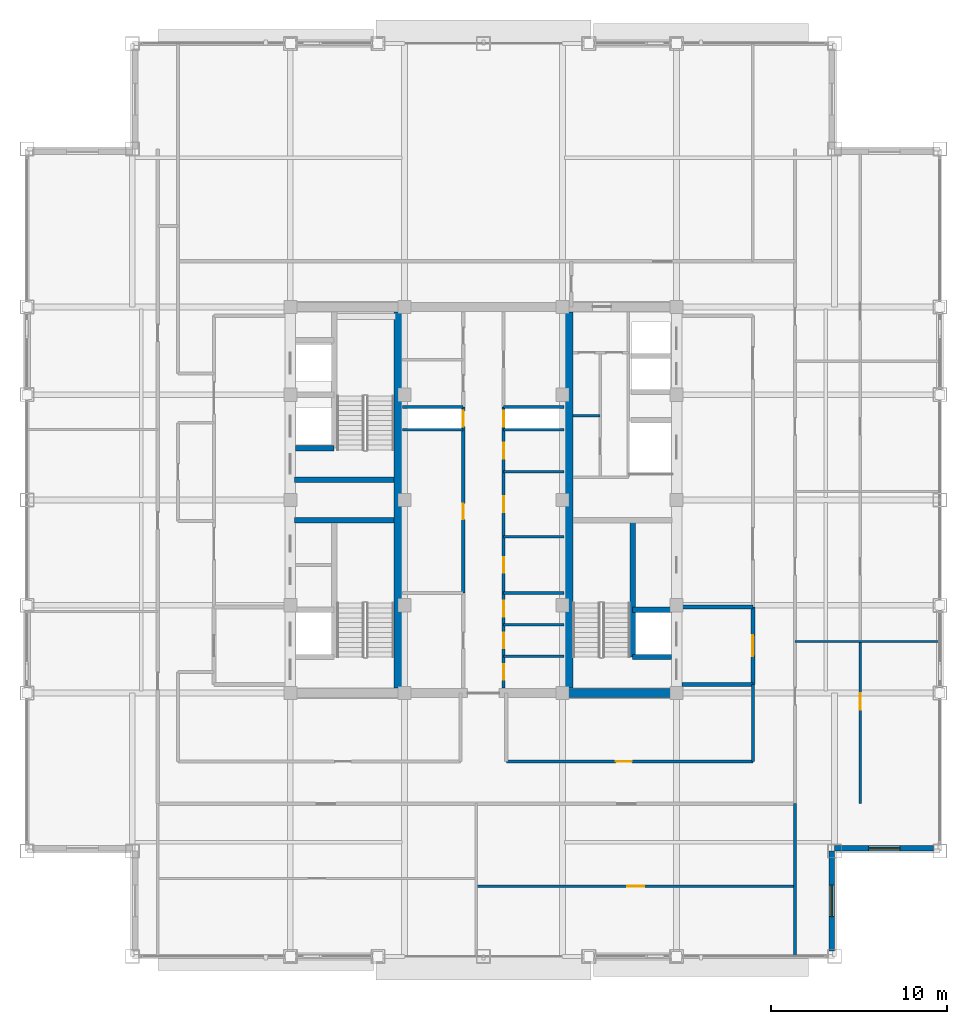
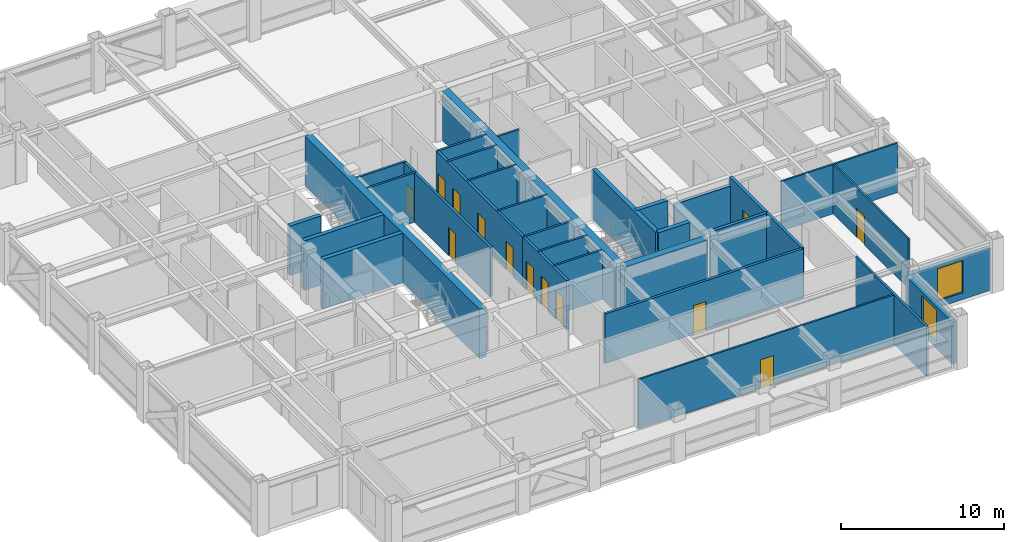
# One storey, part 25 of 32: 33 walls, 13 doors, 2 windows, 15 openings.
"""IFC4 building model written with IfcOpenShell, lengths in metres."""

from ifc_helpers import new_model, si_unit, direction, frame, frame_2d, origin, place, context, subcontext, project, spatial, rectangle, extrude, source, transform, mapped, material, layer, layer_set, type_object, element, fill, save


model = new_model("IFC4")

# Units and contexts
model_context = context("Model", 3, precision=1e-05, world=origin(), true_north=direction((0.0, 1.0)))
body_context = subcontext(model_context, "Body", "Model", "MODEL_VIEW")
ifc_project = project(units=[si_unit("LENGTHUNIT", "METRE"), si_unit("AREAUNIT", "SQUARE_METRE"), si_unit("VOLUMEUNIT", "CUBIC_METRE"), si_unit("PLANEANGLEUNIT", "RADIAN"), si_unit("MASSUNIT", "GRAM", prefix="KILO")], contexts=[model_context])

# Site, building, storey
site_placement = place(None, origin())
site = spatial("IfcSite", under=ifc_project, at=site_placement, CompositionType="ELEMENT")
building_placement = place(site_placement, origin())
building = spatial("IfcBuilding", under=site, at=building_placement, Name="Khorayat Bourse Tower", CompositionType="ELEMENT")
storey_placement = place(building_placement, frame((0.0, 0.0, 342.300048828125)))
storey = spatial("IfcBuildingStorey", under=building, at=storey_placement, Name="L81", CompositionType="ELEMENT", Elevation=342.300048828125)

# Walls
ifc_material_1 = material(Name="Concrete C52/65", Category="concrete")
ifc_layer_1 = layer(ifc_material_1, 0.5)
ifc_layer_set_1 = layer_set([ifc_layer_1], Name="Concrete C52/65")
wall_type_1 = type_object("IfcWallType", Name="WAL-CORE-500", PredefinedType="SHEAR", material=ifc_layer_set_1)
shared_shape_1 = source(origin(), body_context, "Body", "SweptSolid", [
    extrude(rectangle(XDim=21.39990234375, YDim=0.5, at=frame_2d((10.699951171875, 0.0))), origin(), (0.0, 0.0, 1.0), 3.699951171875),
])
for number, where, z_axis, x_axis, name in (
    (1, (-4.85009765625, -10.699951171875, 0.0), (0.0, 0.0, 1.0), (0.0, 1.0, 0.0), "L81 Core Shear Wall PIER-W"),
    (2, (4.85009765625, -10.699951171875, 0.0), (0.0, 0.0, 1.0), (0.0, 1.0, 0.0), "L81 Core Shear Wall PIER-E"),
):
    element("IfcWall", number, at=place(storey_placement, frame(where, z_axis=z_axis, x_axis=x_axis)), inside=storey, type_object=wall_type_1, Name=name, PredefinedType="SHEAR", context=body_context, shape_type="MappedRepresentation", body=[
        mapped(shared_shape_1, transform((0.0, 0.0, 0.0), scale=1.0)),
    ])
shared_shape_2 = source(origin(), body_context, "Body", "SweptSolid", [
    extrude(rectangle(XDim=5.89990234375, YDim=0.5, at=frame_2d((2.949951171875, 0.0))), origin(), (0.0, 0.0, 1.0), 3.699951171875),
])
wall_1_placement = place(storey_placement, frame((4.85009765625, -11.0, 0.0), z_axis=(0.0, 0.0, 1.0), x_axis=(1.0, 0.0, 0.0)))
element("IfcWall", 3, at=wall_1_placement, inside=storey, type_object=wall_type_1, Name="L81 Core Shear Wall PIER-ES", PredefinedType="SHEAR", context=body_context, shape_type="MappedRepresentation", body=[
    mapped(shared_shape_2, transform((0.0, 0.0, 0.0), scale=1.0)),
])
ifc_material_2 = material(Name="Concrete C50/60", Category="concrete")
ifc_layer_2 = layer(ifc_material_2, 0.300048828125)
ifc_layer_set_2 = layer_set([ifc_layer_2], Name="Concrete C50/60")
wall_type_2 = type_object("IfcWallType", Name="WAL-SHAFT-300", PredefinedType="SHEAR", material=ifc_layer_set_2)
shared_shape_3 = source(origin(), body_context, "Body", "SweptSolid", [
    extrude(rectangle(XDim=5.64990234375, YDim=0.300048828125, at=frame_2d((2.824951171875, 0.0))), origin(), (0.0, 0.0, 1.0), 3.699951171875),
])
for number, where, z_axis, x_axis, name in (
    (4, (-10.75, -1.14990234375, 0.0), (0.0, 0.0, 1.0), (1.0, 0.0, 0.0), "L81 Core Shear Wall ST1-DIV"),
    (5, (-10.75, 1.14990234375, 0.0), (0.0, 0.0, 1.0), (1.0, 0.0, 0.0), "L81 Core Shear Wall ST2-DIV"),
):
    element("IfcWall", number, at=place(storey_placement, frame(where, z_axis=z_axis, x_axis=x_axis)), inside=storey, type_object=wall_type_2, Name=name, PredefinedType="SHEAR", context=body_context, shape_type="MappedRepresentation", body=[
        mapped(shared_shape_3, transform((0.0, 0.0, 0.0), scale=1.0)),
    ])

# Wall, opening, window
ifc_material_3 = material(Name="Precast concrete C45/55", Category="concrete")
ifc_layer_3 = layer(ifc_material_3, 0.320068359375)
ifc_layer_set_3 = layer_set([ifc_layer_3], Name="Precast concrete C45/55")
wall_type_3 = type_object("IfcWallType", Name="WAL-EXT-STONE-320", PredefinedType="STANDARD", material=ifc_layer_set_3)
shared_shape_4 = source(origin(), body_context, "Body", "SweptSolid", [
    extrude(rectangle(XDim=5.679931640625, YDim=0.320068359375, at=frame_2d((2.83984375, 0.0))), origin(), (0.0, 0.0, 1.0), 3.15087890625),
])
wall_2_placement = place(storey_placement, frame((19.840087890625, -25.679931640625, 0.0), z_axis=(0.0, 0.0, 1.0), x_axis=(0.0, 1.0, 0.0)))
wall_2 = element("IfcWall", 6, at=wall_2_placement, inside=storey, type_object=wall_type_3, Name="L81 Re-Entrant Notch Limestone Wall SE-V", PredefinedType="STANDARD", context=body_context, shape_type="MappedRepresentation", body=[
    mapped(shared_shape_4, transform((0.0, 0.0, 0.0), scale=1.0)),
])
shared_shape_5 = source(origin(), body_context, "Body", "SweptSolid", [
    extrude(rectangle(XDim=1.800048828125, YDim=2.39990234375, at=frame_2d((0.89990234375, 1.199951171875))), frame((0.0, 0.169921875, 0.0), z_axis=(0.0, -1.0, 0.0), x_axis=(1.0, 0.0, 0.0)), (0.0, 0.0, 1.0), 0.340087890625),
])
opening_1_placement = place(wall_2_placement, frame((1.93994140625, 0.0, 0.5)))
opening_1 = element("IfcOpeningElement", 7, at=opening_1_placement, cuts=wall_2, Name="Opening WN-04", PredefinedType="OPENING", context=body_context, shape_type="MappedRepresentation", body=[
    mapped(shared_shape_5, transform((0.0, 0.0, 0.0), scale=1.0)),
])
ifc_material_4 = material(Name="Low-E acoustic laminated double glazing", Category="glass")
window_type = type_object("IfcWindowType", Name="WIN-NOTCH-1800x2400", PartitioningType="SINGLE_PANEL", PredefinedType="WINDOW", material=ifc_material_4)
shared_shape_6 = source(origin(), body_context, "Body", "SweptSolid", [
    extrude(rectangle(XDim=1.800048828125, YDim=2.39990234375, at=frame_2d((0.89990234375, 1.199951171875))), frame((0.0, 0.030029296875, 0.0), z_axis=(0.0, -1.0, 0.0), x_axis=(1.0, 0.0, 0.0)), (0.0, 0.0, 1.0), 0.06005859375),
])
window_1_placement = place(opening_1_placement, origin())
window_1 = element("IfcWindow", 8, at=window_1_placement, inside=storey, type_object=window_type, Name="L81 Facade Window 1", OverallHeight=2.39990234375, OverallWidth=1.800048828125, PartitioningType="SINGLE_PANEL", PredefinedType="WINDOW", context=body_context, shape_type="MappedRepresentation", body=[
    mapped(shared_shape_6, transform((0.0, 0.0, 0.0), scale=1.0)),
])
fill(opening_1, window_1)

wall_3_placement = place(storey_placement, frame((20.0, -19.840087890625, 0.0), z_axis=(0.0, 0.0, 1.0), x_axis=(1.0, 0.0, 0.0)))
wall_3 = element("IfcWall", 9, at=wall_3_placement, inside=storey, type_object=wall_type_3, Name="L81 Re-Entrant Notch Limestone Wall SE-H", PredefinedType="STANDARD", context=body_context, shape_type="MappedRepresentation", body=[
    mapped(shared_shape_4, transform((0.0, 0.0, 0.0), scale=1.0)),
])
opening_2_placement = place(wall_3_placement, frame((1.93994140625, 0.0, 0.5)))
opening_2 = element("IfcOpeningElement", 10, at=opening_2_placement, cuts=wall_3, Name="Opening WN-04", PredefinedType="OPENING", context=body_context, shape_type="MappedRepresentation", body=[
    mapped(shared_shape_5, transform((0.0, 0.0, 0.0), scale=1.0)),
])
window_2_placement = place(opening_2_placement, origin())
window_2 = element("IfcWindow", 11, at=window_2_placement, inside=storey, type_object=window_type, Name="L81 Facade Window 1", OverallHeight=2.39990234375, OverallWidth=1.800048828125, PartitioningType="SINGLE_PANEL", PredefinedType="WINDOW", context=body_context, shape_type="MappedRepresentation", body=[
    mapped(shared_shape_6, transform((0.0, 0.0, 0.0), scale=1.0)),
])
fill(opening_2, window_2)

# Walls
shared_shape_7 = source(origin(), body_context, "Body", "SweptSolid", [
    extrude(rectangle(XDim=7.800048828125, YDim=0.300048828125, at=frame_2d((3.89990234375, 0.0))), origin(), (0.0, 0.0, 1.0), 3.699951171875),
])
wall_4_placement = place(storey_placement, frame((8.5, -8.949951171875, 0.0), z_axis=(0.0, 0.0, 1.0), x_axis=(0.0, 1.0, 0.0)))
element("IfcWall", 12, at=wall_4_placement, inside=storey, type_object=wall_type_2, Name="L81 Partition WAL-L81-EPIER-SP", PredefinedType="SHEAR", context=body_context, shape_type="MappedRepresentation", body=[
    mapped(shared_shape_7, transform((0.0, 0.0, 0.0), scale=1.0)),
])
shared_shape_8 = source(origin(), body_context, "Body", "SweptSolid", [
    extrude(rectangle(XDim=2.199951171875, YDim=0.300048828125, at=frame_2d((1.10009765625, 0.0))), origin(), (0.0, 0.0, 1.0), 3.699951171875),
])
for number, where, z_axis, x_axis, name in (
    (13, (-10.699951171875, 2.949951171875, 0.0), (0.0, 0.0, 1.0), (1.0, 0.0, 0.0), "L81 Partition WAL-L81-WPIER-H1S"),
    (14, (8.5, -8.949951171875, 0.0), (0.0, 0.0, 1.0), (1.0, 0.0, 0.0), "L81 Partition WAL-L81-EPIER-FF2S"),
    (15, (8.5, -6.25, 0.0), (0.0, 0.0, 1.0), (1.0, 0.0, 0.0), "L81 Partition WAL-L81-EPIER-FF2N"),
):
    element("IfcWall", number, at=place(storey_placement, frame(where, z_axis=z_axis, x_axis=x_axis)), inside=storey, type_object=wall_type_2, Name=name, PredefinedType="SHEAR", context=body_context, shape_type="MappedRepresentation", body=[
        mapped(shared_shape_8, transform((0.0, 0.0, 0.0), scale=1.0)),
    ])
ifc_material_5 = material(Name="Moisture-resistant masonry partition", Category="masonry")
ifc_layer_4 = layer(ifc_material_5, 0.139892578125)
ifc_layer_set_4 = layer_set([ifc_layer_4], Name="Moisture-resistant masonry partition")
wall_type_4 = type_object("IfcWallType", Name="WAL-PART-WET-140", PredefinedType="PARTITIONING", material=ifc_layer_set_4)
shared_shape_9 = source(origin(), body_context, "Body", "SweptSolid", [
    extrude(rectangle(XDim=1.5498046875, YDim=0.139892578125, at=frame_2d((0.77490234375, 0.0))), origin(), (0.0, 0.0, 1.0), 3.699951171875),
])
wall_5_placement = place(storey_placement, frame((5.10009765625, 4.800048828125, 0.0), z_axis=(0.0, 0.0, 1.0), x_axis=(1.0, 0.0, 0.0)))
element("IfcWall", 16, at=wall_5_placement, inside=storey, type_object=wall_type_4, Name="L81 Partition WAL-L81-ECW-BOT", PredefinedType="PARTITIONING", context=body_context, shape_type="MappedRepresentation", body=[
    mapped(shared_shape_9, transform((0.0, 0.0, 0.0), scale=1.0)),
])
ifc_material_6 = material(Name="Aerated concrete blockwork", Category="masonry")
ifc_layer_5 = layer(ifc_material_6, 0.219970703125)
ifc_layer_set_5 = layer_set([ifc_layer_5], Name="Aerated concrete blockwork")
wall_type_5 = type_object("IfcWallType", Name="WAL-PART-FF-220", PredefinedType="PARTITIONING", material=ifc_layer_set_5)
shared_shape_10 = source(origin(), body_context, "Body", "SweptSolid", [
    extrude(rectangle(XDim=4.050048828125, YDim=0.219970703125, at=frame_2d((2.02490234375, 0.0))), origin(), (0.0, 0.0, 1.0), 3.699951171875),
])
wall_6_placement = place(storey_placement, frame((11.300048828125, -10.5, 0.0), z_axis=(0.0, 0.0, 1.0), x_axis=(1.0, 0.0, 0.0)))
element("IfcWall", 17, at=wall_6_placement, inside=storey, type_object=wall_type_5, Name="L81 Partition WAL-L81-FFLE-S", PredefinedType="PARTITIONING", context=body_context, shape_type="MappedRepresentation", body=[
    mapped(shared_shape_10, transform((0.0, 0.0, 0.0), scale=1.0)),
])
shared_shape_11 = source(origin(), body_context, "Body", "SweptSolid", [
    extrude(rectangle(XDim=4.050048828125, YDim=0.219970703125, at=frame_2d((2.02490234375, 0.0))), origin(), (0.0, 0.0, 1.0), 3.083984375),
])
wall_7_placement = place(storey_placement, frame((11.300048828125, -6.10009765625, 0.0), z_axis=(0.0, 0.0, 1.0), x_axis=(1.0, 0.0, 0.0)))
element("IfcWall", 18, at=wall_7_placement, inside=storey, type_object=wall_type_5, Name="L81 Partition WAL-L81-FFLE-N", PredefinedType="PARTITIONING", context=body_context, shape_type="MappedRepresentation", body=[
    mapped(shared_shape_11, transform((0.0, 0.0, 0.0), scale=1.0)),
])

# Wall, opening, door
shared_shape_12 = source(origin(), body_context, "Body", "SweptSolid", [
    extrude(rectangle(XDim=4.39990234375, YDim=0.219970703125, at=frame_2d((2.199951171875, 0.0))), origin(), (0.0, 0.0, 1.0), 3.699951171875),
])
wall_8_placement = place(storey_placement, frame((15.35009765625, -10.5, 0.0), z_axis=(0.0, 0.0, 1.0), x_axis=(0.0, 1.0, 0.0)))
wall_8 = element("IfcWall", 19, at=wall_8_placement, inside=storey, type_object=wall_type_5, Name="L81 Partition WAL-L81-FFLE-E", PredefinedType="PARTITIONING", context=body_context, shape_type="MappedRepresentation", body=[
    mapped(shared_shape_12, transform((0.0, 0.0, 0.0), scale=1.0)),
])
shared_shape_13 = source(origin(), body_context, "Body", "SweptSolid", [
    extrude(rectangle(XDim=1.199951171875, YDim=2.199951171875, at=frame_2d((0.60009765625, 1.10009765625))), frame((0.0, 0.119873046875, 0.0), z_axis=(0.0, -1.0, 0.0), x_axis=(1.0, 0.0, 0.0)), (0.0, 0.0, 1.0), 0.239990234375),
])
opening_3_placement = place(wall_8_placement, frame((1.60009765625, 0.0, 0.0)))
opening_3 = element("IfcOpeningElement", 20, at=opening_3_placement, cuts=wall_8, Name="Opening DI-02", PredefinedType="OPENING", context=body_context, shape_type="MappedRepresentation", body=[
    mapped(shared_shape_13, transform((0.0, 0.0, 0.0), scale=1.0)),
])
ifc_material_7 = material(Name="Fire-rated steel double-seal leaf", Category="steel")
door_type_1 = type_object("IfcDoorType", Name="DR-INT-FFLOBBY-1200", OperationType="NOTDEFINED", PredefinedType="DOOR", material=ifc_material_7)
shared_shape_14 = source(origin(), body_context, "Body", "SweptSolid", [
    extrude(rectangle(XDim=1.199951171875, YDim=2.199951171875, at=frame_2d((0.60009765625, 1.10009765625))), frame((0.0, 0.02490234375, 0.0), z_axis=(0.0, -1.0, 0.0), x_axis=(1.0, 0.0, 0.0)), (0.0, 0.0, 1.0), 0.050048828125),
])
door_1_placement = place(opening_3_placement, origin())
door_1 = element("IfcDoor", 21, at=door_1_placement, inside=storey, type_object=door_type_1, Name="L81 East Firefighting Lobby Door", OperationType="SINGLE_SWING_RIGHT", OverallHeight=2.199951171875, OverallWidth=1.199951171875, PredefinedType="DOOR", context=body_context, shape_type="MappedRepresentation", body=[
    mapped(shared_shape_14, transform((0.0, 0.0, 0.0), scale=1.0)),
])
fill(opening_3, door_1)

# Walls
ifc_material_8 = material(Name="Gypsum plasterboard twin-frame partition")
ifc_layer_6 = layer(ifc_material_8, 0.14990234375)
ifc_layer_set_6 = layer_set([ifc_layer_6], Name="Gypsum plasterboard twin-frame partition")
wall_type_6 = type_object("IfcWallType", Name="WAL-PART-SUITE-150", PredefinedType="PARTITIONING", material=ifc_layer_set_6)
shared_shape_15 = source(origin(), body_context, "Body", "SweptSolid", [
    extrude(rectangle(XDim=3.4501953125, YDim=0.14990234375, at=frame_2d((1.72509765625, 0.0))), origin(), (0.0, 0.0, 1.0), 3.699951171875),
])
for number, where, z_axis, x_axis, name in (
    (22, (-4.60009765625, 4.0, 0.0), (0.0, 0.0, 1.0), (1.0, 0.0, 0.0), "L81 Partition WAL-L81-CRSW-S"),
    (23, (1.14990234375, 4.0, 0.0), (0.0, 0.0, 1.0), (1.0, 0.0, 0.0), "L81 Partition WAL-L81-CRSE-S"),
    (24, (1.14990234375, -5.300048828125, 0.0), (0.0, 0.0, 1.0), (1.0, 0.0, 0.0), "L81 Partition WAL-L81-FB1-NE"),
    (25, (-4.60009765625, 5.300048828125, 0.0), (0.0, 0.0, 1.0), (1.0, 0.0, 0.0), "L81 Partition WAL-L81-FB2-SW"),
    (26, (1.14990234375, 5.300048828125, 0.0), (0.0, 0.0, 1.0), (1.0, 0.0, 0.0), "L81 Partition WAL-L81-FB2-SE"),
):
    element("IfcWall", number, at=place(storey_placement, frame(where, z_axis=z_axis, x_axis=x_axis)), inside=storey, type_object=wall_type_6, Name=name, PredefinedType="PARTITIONING", context=body_context, shape_type="MappedRepresentation", body=[
        mapped(shared_shape_15, transform((0.0, 0.0, 0.0), scale=1.0)),
    ])

# Wall, openings, doors
ifc_material_9 = material(Name="Gypsum plasterboard acoustic stud wall")
ifc_layer_7 = layer(ifc_material_9, 0.179931640625)
ifc_layer_set_7 = layer_set([ifc_layer_7], Name="Gypsum plasterboard acoustic stud wall")
wall_type_7 = type_object("IfcWallType", Name="WAL-PART-CORR-180", PredefinedType="PARTITIONING", material=ifc_layer_set_7)
shared_shape_16 = source(origin(), body_context, "Body", "SweptSolid", [
    extrude(rectangle(XDim=5.39990234375, YDim=0.179931640625, at=frame_2d((2.699951171875, 0.0))), origin(), (0.0, 0.0, 1.0), 3.699951171875),
])
wall_9_placement = place(storey_placement, frame((1.14990234375, -10.699951171875, 0.0), z_axis=(0.0, 0.0, 1.0), x_axis=(0.0, 1.0, 0.0)))
wall_9 = element("IfcWall", 27, at=wall_9_placement, inside=storey, type_object=wall_type_7, Name="L81 Partition WAL-L81-FB1E-L", PredefinedType="PARTITIONING", context=body_context, shape_type="MappedRepresentation", body=[
    mapped(shared_shape_16, transform((0.0, 0.0, 0.0), scale=1.0)),
])
shared_shape_17 = source(origin(), body_context, "Body", "SweptSolid", [
    extrude(rectangle(XDim=0.89990234375, YDim=2.14990234375, at=frame_2d((0.449951171875, 1.074951171875))), frame((0.0, 0.099853515625, 0.0), z_axis=(0.0, -1.0, 0.0), x_axis=(1.0, 0.0, 0.0)), (0.0, 0.0, 1.0), 0.199951171875),
])
opening_4_placement = place(wall_9_placement, frame((0.449951171875, 0.0, 0.0)))
opening_4 = element("IfcOpeningElement", 28, at=opening_4_placement, cuts=wall_9, Name="Opening DI-06", PredefinedType="OPENING", context=body_context, shape_type="MappedRepresentation", body=[
    mapped(shared_shape_17, transform((0.0, 0.0, 0.0), scale=1.0)),
])
opening_5_placement = place(wall_9_placement, frame((2.25, 0.0, 0.0)))
opening_5 = element("IfcOpeningElement", 29, at=opening_5_placement, cuts=wall_9, Name="Opening DI-06", PredefinedType="OPENING", context=body_context, shape_type="MappedRepresentation", body=[
    mapped(shared_shape_17, transform((0.0, 0.0, 0.0), scale=1.0)),
])
opening_6_placement = place(wall_9_placement, frame((4.050048828125, 0.0, 0.0)))
opening_6 = element("IfcOpeningElement", 30, at=opening_6_placement, cuts=wall_9, Name="Opening DI-06", PredefinedType="OPENING", context=body_context, shape_type="MappedRepresentation", body=[
    mapped(shared_shape_17, transform((0.0, 0.0, 0.0), scale=1.0)),
])
ifc_material_10 = material(Name="Moisture-resistant laminate washroom door")
door_type_2 = type_object("IfcDoorType", Name="DR-INT-WC-900", OperationType="NOTDEFINED", PredefinedType="DOOR", material=ifc_material_10)
shared_shape_18 = source(origin(), body_context, "Body", "SweptSolid", [
    extrude(rectangle(XDim=0.89990234375, YDim=2.14990234375, at=frame_2d((0.449951171875, 1.074951171875))), frame((0.0, 0.02490234375, 0.0), z_axis=(0.0, -1.0, 0.0), x_axis=(1.0, 0.0, 0.0)), (0.0, 0.0, 1.0), 0.050048828125),
])
door_2_placement = place(opening_4_placement, origin())
door_2 = element("IfcDoor", 31, at=door_2_placement, inside=storey, type_object=door_type_2, Name="L81 Stationery Store Door", OperationType="SINGLE_SWING_RIGHT", OverallHeight=2.14990234375, OverallWidth=0.89990234375, PredefinedType="DOOR", context=body_context, shape_type="MappedRepresentation", body=[
    mapped(shared_shape_18, transform((0.0, 0.0, 0.0), scale=1.0)),
])
fill(opening_4, door_2)
door_3_placement = place(opening_5_placement, origin())
door_3 = element("IfcDoor", 32, at=door_3_placement, inside=storey, type_object=door_type_2, Name="L81 Meter Closet Door", OperationType="SINGLE_SWING_LEFT", OverallHeight=2.14990234375, OverallWidth=0.89990234375, PredefinedType="DOOR", context=body_context, shape_type="MappedRepresentation", body=[
    mapped(shared_shape_18, transform((0.0, 0.0, 0.0), scale=1.0)),
])
fill(opening_5, door_3)
door_4_placement = place(opening_6_placement, origin())
door_4 = element("IfcDoor", 33, at=door_4_placement, inside=storey, type_object=door_type_2, Name="L81 Print Room Door", OperationType="SINGLE_SWING_RIGHT", OverallHeight=2.14990234375, OverallWidth=0.89990234375, PredefinedType="DOOR", context=body_context, shape_type="MappedRepresentation", body=[
    mapped(shared_shape_18, transform((0.0, 0.0, 0.0), scale=1.0)),
])
fill(opening_6, door_4)

# Walls
shared_shape_19 = source(origin(), body_context, "Body", "SweptSolid", [
    extrude(rectangle(XDim=3.4501953125, YDim=0.139892578125, at=frame_2d((1.72509765625, 0.0))), origin(), (0.0, 0.0, 1.0), 3.699951171875),
])
for number, where, z_axis, x_axis, name in (
    (34, (1.14990234375, -8.89990234375, 0.0), (0.0, 0.0, 1.0), (1.0, 0.0, 0.0), "L81 Partition WAL-L81-FB1E-D1"),
    (35, (1.14990234375, -7.10009765625, 0.0), (0.0, 0.0, 1.0), (1.0, 0.0, 0.0), "L81 Partition WAL-L81-FB1E-D2"),
    (36, (1.14990234375, -2.10009765625, 0.0), (0.0, 0.0, 1.0), (1.0, 0.0, 0.0), "L81 Partition WAL-L81-CME-D1"),
    (37, (1.14990234375, 1.60009765625, 0.0), (0.0, 0.0, 1.0), (1.0, 0.0, 0.0), "L81 Partition WAL-L81-CME-D2"),
):
    element("IfcWall", number, at=place(storey_placement, frame(where, z_axis=z_axis, x_axis=x_axis)), inside=storey, type_object=wall_type_4, Name=name, PredefinedType="PARTITIONING", context=body_context, shape_type="MappedRepresentation", body=[
        mapped(shared_shape_19, transform((0.0, 0.0, 0.0), scale=1.0)),
    ])

# Wall, openings, doors
shared_shape_20 = source(origin(), body_context, "Body", "SweptSolid", [
    extrude(rectangle(XDim=10.60009765625, YDim=0.179931640625, at=frame_2d((5.300048828125, 0.0))), origin(), (0.0, 0.0, 1.0), 3.699951171875),
])
wall_10_placement = place(storey_placement, frame((-1.14990234375, -5.300048828125, 0.0), z_axis=(0.0, 0.0, 1.0), x_axis=(0.0, 1.0, 0.0)))
wall_10 = element("IfcWall", 38, at=wall_10_placement, inside=storey, type_object=wall_type_7, Name="L81 Partition WAL-L81-CMW-L", PredefinedType="PARTITIONING", context=body_context, shape_type="MappedRepresentation", body=[
    mapped(shared_shape_20, transform((0.0, 0.0, 0.0), scale=1.0)),
])
opening_7_placement = place(wall_10_placement, frame((4.199951171875, 0.0, 0.0)))
opening_7 = element("IfcOpeningElement", 39, at=opening_7_placement, cuts=wall_10, Name="Opening DI-06", PredefinedType="OPENING", context=body_context, shape_type="MappedRepresentation", body=[
    mapped(shared_shape_17, transform((0.0, 0.0, 0.0), scale=1.0)),
])
opening_8_placement = place(wall_10_placement, frame((9.47509765625, 0.0, 0.0)))
opening_8 = element("IfcOpeningElement", 40, at=opening_8_placement, cuts=wall_10, Name="Opening DI-06", PredefinedType="OPENING", context=body_context, shape_type="MappedRepresentation", body=[
    mapped(shared_shape_17, transform((0.0, 0.0, 0.0), scale=1.0)),
])
door_5_placement = place(opening_7_placement, origin())
door_5 = element("IfcDoor", 41, at=door_5_placement, inside=storey, type_object=door_type_2, Name="L81 Male Core Washroom Door", OperationType="SINGLE_SWING_RIGHT", OverallHeight=2.14990234375, OverallWidth=0.89990234375, PredefinedType="DOOR", context=body_context, shape_type="MappedRepresentation", body=[
    mapped(shared_shape_18, transform((0.0, 0.0, 0.0), scale=1.0)),
])
fill(opening_7, door_5)
door_6_placement = place(opening_8_placement, origin())
door_6 = element("IfcDoor", 42, at=door_6_placement, inside=storey, type_object=door_type_2, Name="L81 West Core Riser Door", OperationType="SINGLE_SWING_LEFT", OverallHeight=2.14990234375, OverallWidth=0.89990234375, PredefinedType="DOOR", context=body_context, shape_type="MappedRepresentation", body=[
    mapped(shared_shape_18, transform((0.0, 0.0, 0.0), scale=1.0)),
])
fill(opening_8, door_6)

wall_11_placement = place(storey_placement, frame((1.14990234375, -5.300048828125, 0.0), z_axis=(0.0, 0.0, 1.0), x_axis=(0.0, 1.0, 0.0)))
wall_11 = element("IfcWall", 43, at=wall_11_placement, inside=storey, type_object=wall_type_7, Name="L81 Partition WAL-L81-CME-L", PredefinedType="PARTITIONING", context=body_context, shape_type="MappedRepresentation", body=[
    mapped(shared_shape_20, transform((0.0, 0.0, 0.0), scale=1.0)),
])
opening_9_placement = place(wall_11_placement, frame((1.14990234375, 0.0, 0.0)))
opening_9 = element("IfcOpeningElement", 44, at=opening_9_placement, cuts=wall_11, Name="Opening DI-06", PredefinedType="OPENING", context=body_context, shape_type="MappedRepresentation", body=[
    mapped(shared_shape_17, transform((0.0, 0.0, 0.0), scale=1.0)),
])
opening_10_placement = place(wall_11_placement, frame((4.60009765625, 0.0, 0.0)))
opening_10 = element("IfcOpeningElement", 45, at=opening_10_placement, cuts=wall_11, Name="Opening DI-06", PredefinedType="OPENING", context=body_context, shape_type="MappedRepresentation", body=[
    mapped(shared_shape_17, transform((0.0, 0.0, 0.0), scale=1.0)),
])
opening_11_placement = place(wall_11_placement, frame((7.64990234375, 0.0, 0.0)))
opening_11 = element("IfcOpeningElement", 46, at=opening_11_placement, cuts=wall_11, Name="Opening DI-06", PredefinedType="OPENING", context=body_context, shape_type="MappedRepresentation", body=[
    mapped(shared_shape_17, transform((0.0, 0.0, 0.0), scale=1.0)),
])
opening_12_placement = place(wall_11_placement, frame((9.47509765625, 0.0, 0.0)))
opening_12 = element("IfcOpeningElement", 47, at=opening_12_placement, cuts=wall_11, Name="Opening DI-06", PredefinedType="OPENING", context=body_context, shape_type="MappedRepresentation", body=[
    mapped(shared_shape_17, transform((0.0, 0.0, 0.0), scale=1.0)),
])
door_7_placement = place(opening_9_placement, origin())
door_7 = element("IfcDoor", 48, at=door_7_placement, inside=storey, type_object=door_type_2, Name="L81 Female Core Washroom Door", OperationType="SINGLE_SWING_RIGHT", OverallHeight=2.14990234375, OverallWidth=0.89990234375, PredefinedType="DOOR", context=body_context, shape_type="MappedRepresentation", body=[
    mapped(shared_shape_18, transform((0.0, 0.0, 0.0), scale=1.0)),
])
fill(opening_9, door_7)
door_8_placement = place(opening_10_placement, origin())
door_8 = element("IfcDoor", 49, at=door_8_placement, inside=storey, type_object=door_type_2, Name="L81 Cleaners Store Door", OperationType="SINGLE_SWING_LEFT", OverallHeight=2.14990234375, OverallWidth=0.89990234375, PredefinedType="DOOR", context=body_context, shape_type="MappedRepresentation", body=[
    mapped(shared_shape_18, transform((0.0, 0.0, 0.0), scale=1.0)),
])
fill(opening_10, door_8)
door_9_placement = place(opening_11_placement, origin())
door_9 = element("IfcDoor", 50, at=door_9_placement, inside=storey, type_object=door_type_2, Name="L81 Meter and BMS Plant Room Door", OperationType="SINGLE_SWING_RIGHT", OverallHeight=2.14990234375, OverallWidth=0.89990234375, PredefinedType="DOOR", context=body_context, shape_type="MappedRepresentation", body=[
    mapped(shared_shape_18, transform((0.0, 0.0, 0.0), scale=1.0)),
])
fill(opening_11, door_9)
door_10_placement = place(opening_12_placement, origin())
door_10 = element("IfcDoor", 51, at=door_10_placement, inside=storey, type_object=door_type_2, Name="L81 East Core Riser Door", OperationType="SINGLE_SWING_RIGHT", OverallHeight=2.14990234375, OverallWidth=0.89990234375, PredefinedType="DOOR", context=body_context, shape_type="MappedRepresentation", body=[
    mapped(shared_shape_18, transform((0.0, 0.0, 0.0), scale=1.0)),
])
fill(opening_12, door_10)

# Wall, opening, door
shared_shape_21 = source(origin(), body_context, "Body", "SweptSolid", [
    extrude(rectangle(XDim=14.050048828125, YDim=0.179931640625, at=frame_2d((7.02490234375, 0.0))), origin(), (0.0, 0.0, 1.0), 3.699951171875),
])
wall_12_placement = place(storey_placement, frame((1.300048828125, -14.89990234375, 0.0), z_axis=(0.0, 0.0, 1.0), x_axis=(1.0, 0.0, 0.0)))
wall_12 = element("IfcWall", 52, at=wall_12_placement, inside=storey, type_object=wall_type_7, Name="L81 Partition WAL-L81-PKSE-S", PredefinedType="PARTITIONING", context=body_context, shape_type="MappedRepresentation", body=[
    mapped(shared_shape_21, transform((0.0, 0.0, 0.0), scale=1.0)),
])
opening_13_placement = place(wall_12_placement, frame((6.25, 0.0, 0.0)))
opening_13 = element("IfcOpeningElement", 53, at=opening_13_placement, cuts=wall_12, Name="Opening DI-06", PredefinedType="OPENING", context=body_context, shape_type="MappedRepresentation", body=[
    mapped(shared_shape_17, transform((0.0, 0.0, 0.0), scale=1.0)),
])
door_11_placement = place(opening_13_placement, origin())
door_11 = element("IfcDoor", 54, at=door_11_placement, inside=storey, type_object=door_type_2, Name="L81 SE Inboard Study Door", OperationType="SINGLE_SWING_RIGHT", OverallHeight=2.14990234375, OverallWidth=0.89990234375, PredefinedType="DOOR", context=body_context, shape_type="MappedRepresentation", body=[
    mapped(shared_shape_18, transform((0.0, 0.0, 0.0), scale=1.0)),
])
fill(opening_13, door_11)

# Walls
shared_shape_22 = source(origin(), body_context, "Body", "SweptSolid", [
    extrude(rectangle(XDim=4.39990234375, YDim=0.179931640625, at=frame_2d((2.199951171875, 0.0))), origin(), (0.0, 0.0, 1.0), 3.699951171875),
])
wall_13_placement = place(storey_placement, frame((15.35009765625, -14.89990234375, 0.0), z_axis=(0.0, 0.0, 1.0), x_axis=(0.0, 1.0, 0.0)))
element("IfcWall", 55, at=wall_13_placement, inside=storey, type_object=wall_type_7, Name="L81 Partition WAL-L81-PKSE-E", PredefinedType="PARTITIONING", context=body_context, shape_type="MappedRepresentation", body=[
    mapped(shared_shape_22, transform((0.0, 0.0, 0.0), scale=1.0)),
])
shared_shape_23 = source(origin(), body_context, "Body", "SweptSolid", [
    extrude(rectangle(XDim=8.699951171875, YDim=0.14990234375, at=frame_2d((4.35009765625, 0.0))), origin(), (0.0, 0.0, 1.0), 3.699951171875),
])
wall_14_placement = place(storey_placement, frame((17.75, -26.0, 0.0), z_axis=(0.0, 0.0, 1.0), x_axis=(0.0, 1.0, 0.0)))
element("IfcWall", 56, at=wall_14_placement, inside=storey, type_object=wall_type_6, Name="L81 Partition WAL-L81-SCE-END", PredefinedType="PARTITIONING", context=body_context, shape_type="MappedRepresentation", body=[
    mapped(shared_shape_23, transform((0.0, 0.0, 0.0), scale=1.0)),
])

# Wall, opening, door
ifc_material_11 = material(Name="Gypsum plasterboard partition")
ifc_layer_8 = layer(ifc_material_11, 0.125)
ifc_layer_set_8 = layer_set([ifc_layer_8], Name="Gypsum plasterboard partition")
wall_type_8 = type_object("IfcWallType", Name="WAL-PART-ROOM-125", PredefinedType="PARTITIONING", material=ifc_layer_set_8)
shared_shape_24 = source(origin(), body_context, "Body", "SweptSolid", [
    extrude(rectangle(XDim=18.14990234375, YDim=0.125, at=frame_2d((9.074951171875, 0.0))), origin(), (0.0, 0.0, 1.0), 3.699951171875),
])
wall_15_placement = place(storey_placement, frame((-0.39990234375, -21.998046875, 0.0), z_axis=(0.0, 0.0, 1.0), x_axis=(1.0, 0.0, 0.0)))
wall_15 = element("IfcWall", 57, at=wall_15_placement, inside=storey, type_object=wall_type_8, Name="L81 Partition WAL-L81-SDP-2", PredefinedType="PARTITIONING", context=body_context, shape_type="MappedRepresentation", body=[
    mapped(shared_shape_24, transform((0.0, 0.0, 0.0), scale=1.0)),
])
shared_shape_25 = source(origin(), body_context, "Body", "SweptSolid", [
    extrude(rectangle(XDim=0.949951171875, YDim=2.14990234375, at=frame_2d((0.47509765625, 1.074951171875))), frame((0.0, 0.072509765625, 0.0), z_axis=(0.0, -1.0, 0.0), x_axis=(1.0, 0.0, 0.0)), (0.0, 0.0, 1.0), 0.14501953125),
])
opening_14_placement = place(wall_15_placement, frame((8.60009765625, 0.0, 0.0)))
opening_14 = element("IfcOpeningElement", 58, at=opening_14_placement, cuts=wall_15, Name="Opening DI-05", PredefinedType="OPENING", context=body_context, shape_type="MappedRepresentation", body=[
    mapped(shared_shape_25, transform((0.0, 0.0, 0.0), scale=1.0)),
])
ifc_material_12 = material(Name="Acoustic oak veneer office door")
door_type_3 = type_object("IfcDoorType", Name="DR-INT-OFFICE-950", OperationType="NOTDEFINED", PredefinedType="DOOR", material=ifc_material_12)
shared_shape_26 = source(origin(), body_context, "Body", "SweptSolid", [
    extrude(rectangle(XDim=0.949951171875, YDim=2.14990234375, at=frame_2d((0.47509765625, 1.074951171875))), frame((0.0, 0.02490234375, 0.0), z_axis=(0.0, -1.0, 0.0), x_axis=(1.0, 0.0, 0.0)), (0.0, 0.0, 1.0), 0.050048828125),
])
door_12_placement = place(opening_14_placement, origin())
door_12 = element("IfcDoor", 59, at=door_12_placement, inside=storey, type_object=door_type_3, Name="L81 Floor Reception Concierge S2B Door", OperationType="SINGLE_SWING_LEFT", OverallHeight=2.14990234375, OverallWidth=0.949951171875, PredefinedType="DOOR", context=body_context, shape_type="MappedRepresentation", body=[
    mapped(shared_shape_26, transform((0.0, 0.0, 0.0), scale=1.0)),
])
fill(opening_14, door_12)

shared_shape_27 = source(origin(), body_context, "Body", "SweptSolid", [
    extrude(rectangle(XDim=9.239990234375, YDim=0.125, at=frame_2d((4.6201171875, 0.0))), origin(), (0.0, 0.0, 1.0), 3.699951171875),
])
wall_16_placement = place(storey_placement, frame((21.46240234375, -17.300048828125, 0.0), z_axis=(0.0, 0.0, 1.0), x_axis=(0.0, 1.0, 0.0)))
wall_16 = element("IfcWall", 60, at=wall_16_placement, inside=storey, type_object=wall_type_8, Name="L81 Partition WAL-L81-EDP-1", PredefinedType="PARTITIONING", context=body_context, shape_type="MappedRepresentation", body=[
    mapped(shared_shape_27, transform((0.0, 0.0, 0.0), scale=1.0)),
])
opening_15_placement = place(wall_16_placement, frame((5.344970703125, 0.0, 0.0)))
opening_15 = element("IfcOpeningElement", 61, at=opening_15_placement, cuts=wall_16, Name="Opening DI-05", PredefinedType="OPENING", context=body_context, shape_type="MappedRepresentation", body=[
    mapped(shared_shape_25, transform((0.0, 0.0, 0.0), scale=1.0)),
])
door_13_placement = place(opening_15_placement, origin())
door_13 = element("IfcDoor", 62, at=door_13_placement, inside=storey, type_object=door_type_3, Name="L81 Quantitative Research Study E1B Door", OperationType="SINGLE_SWING_RIGHT", OverallHeight=2.14990234375, OverallWidth=0.949951171875, PredefinedType="DOOR", context=body_context, shape_type="MappedRepresentation", body=[
    mapped(shared_shape_26, transform((0.0, 0.0, 0.0), scale=1.0)),
])
fill(opening_15, door_13)

# Wall
shared_shape_28 = source(origin(), body_context, "Body", "SweptSolid", [
    extrude(rectangle(XDim=8.25, YDim=0.125, at=frame_2d((4.125, 0.0))), origin(), (0.0, 0.0, 1.0), 3.699951171875),
])
wall_17_placement = place(storey_placement, frame((17.75, -8.06005859375, 0.0), z_axis=(0.0, 0.0, 1.0), x_axis=(1.0, 0.0, 0.0)))
element("IfcWall", 63, at=wall_17_placement, inside=storey, type_object=wall_type_8, Name="L81 Partition WAL-L81-EDV-1", PredefinedType="PARTITIONING", context=body_context, shape_type="MappedRepresentation", body=[
    mapped(shared_shape_28, transform((0.0, 0.0, 0.0), scale=1.0)),
])

save(model, "model.ifc")
